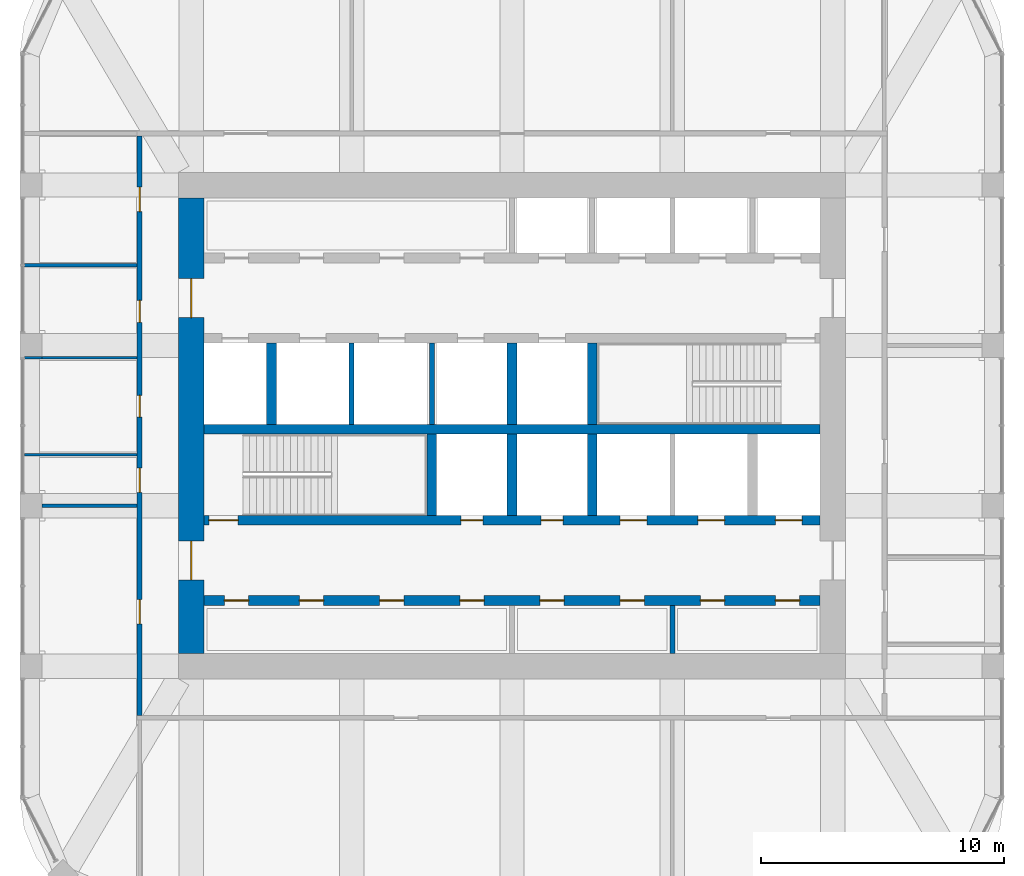
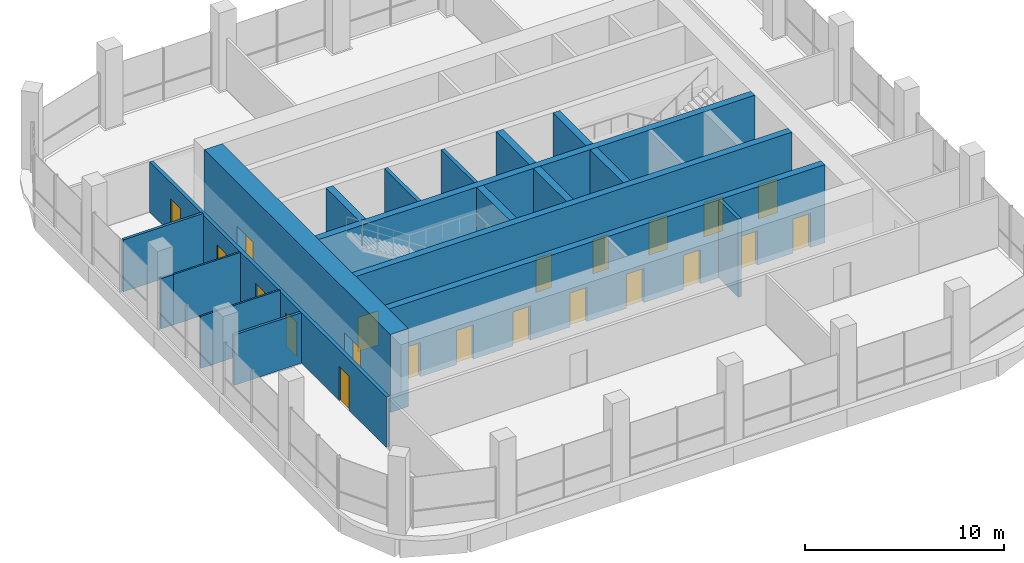
# One storey, part 9 of 13: 21 doors, 19 walls, 21 openings.
"""IFC4 building model written with IfcOpenShell, lengths in metres."""

from ifc_helpers import new_model, si_unit, direction, frame, frame_2d, origin, place, context, subcontext, project, spatial, rectangle, extrude, material, layer, layer_set, type_object, element, fill, save


model = new_model("IFC4")

# Units and contexts
model_context = context("Model", 3, precision=1e-05, world=origin(), true_north=direction((0.0, 1.0)))
body_context = subcontext(model_context, "Body", "Model", "MODEL_VIEW")
ifc_project = project(units=[si_unit("LENGTHUNIT", "METRE"), si_unit("AREAUNIT", "SQUARE_METRE"), si_unit("VOLUMEUNIT", "CUBIC_METRE"), si_unit("PLANEANGLEUNIT", "RADIAN"), si_unit("MASSUNIT", "GRAM", prefix="KILO")], contexts=[model_context])

# Site, building, storey
site_placement = place(None, origin())
site = spatial("IfcSite", under=ifc_project, at=site_placement, CompositionType="ELEMENT")
building_placement = place(site_placement, origin())
building = spatial("IfcBuilding", under=site, at=building_placement, Name="Cobogo Forest Laboratory Tower", CompositionType="ELEMENT")
storey_placement = place(building_placement, frame((0.0, 0.0, 288.0)))
storey = spatial("IfcBuildingStorey", under=building, at=storey_placement, Name="L66", CompositionType="ELEMENT", Elevation=288.0)

# Wall, openings, doors
ifc_material_1 = material(Name="Concrete HA-50 (C50/60)", Category="concrete")
ifc_layer_1 = layer(ifc_material_1, 0.39990234375)
ifc_layer_set_1 = layer_set([ifc_layer_1], Name="CI400 core inner wall 400")
wall_type_1 = type_object("IfcWallType", Name="CI400 core inner wall 400", PredefinedType="SHEAR", material=ifc_layer_set_1)
wall_1_placement = place(storey_placement, frame((13.72509765625, 15.89990234375, 0.0), z_axis=(0.0, 0.0, 1.0), x_axis=(1.0, 0.0, 0.0)))
wall_1 = element("IfcWall", 1, at=wall_1_placement, inside=storey, type_object=wall_type_1, Name="Core wall CI-15.9 L66", PredefinedType="SHEAR", context=body_context, shape_type="SweptSolid", body=[
    extrude(rectangle(XDim=25.349853515625, YDim=0.39990234375, at=frame_2d((12.6748046875, 0.0))), origin(), (0.0, 0.0, 1.0), 4.800048828125),
])
opening_1_placement = place(wall_1_placement, frame((0.83740234375, 0.0, 0.0)))
opening_1 = element("IfcOpeningElement", 2, at=opening_1_placement, cuts=wall_1, Name="Opening L66-D06", PredefinedType="OPENING", context=body_context, shape_type="SweptSolid", body=[
    extrude(rectangle(XDim=1.0, YDim=2.10009765625, at=frame_2d((0.5, 1.050048828125))), frame((0.0, 0.2099609375, 0.0), z_axis=(0.0, -1.0, 0.0), x_axis=(1.0, 0.0, 0.0)), (0.0, 0.0, 1.0), 0.419921875),
])
opening_2_placement = place(wall_1_placement, frame((3.925048828125, 0.0, 0.0)))
opening_2 = element("IfcOpeningElement", 3, at=opening_2_placement, cuts=wall_1, Name="Opening L66-D07", PredefinedType="OPENING", context=body_context, shape_type="SweptSolid", body=[
    extrude(rectangle(XDim=1.0, YDim=2.10009765625, at=frame_2d((0.5, 1.050048828125))), frame((0.0, 0.2099609375, 0.0), z_axis=(0.0, -1.0, 0.0), x_axis=(1.0, 0.0, 0.0)), (0.0, 0.0, 1.0), 0.419921875),
])
opening_3_placement = place(wall_1_placement, frame((7.22509765625, 0.0, 0.0)))
opening_3 = element("IfcOpeningElement", 4, at=opening_3_placement, cuts=wall_1, Name="Opening L66-D08", PredefinedType="OPENING", context=body_context, shape_type="SweptSolid", body=[
    extrude(rectangle(XDim=1.0, YDim=2.10009765625, at=frame_2d((0.5, 1.050048828125))), frame((0.0, 0.2099609375, 0.0), z_axis=(0.0, -1.0, 0.0), x_axis=(1.0, 0.0, 0.0)), (0.0, 0.0, 1.0), 0.419921875),
])
opening_4_placement = place(wall_1_placement, frame((10.52490234375, 0.0, 0.0)))
opening_4 = element("IfcOpeningElement", 5, at=opening_4_placement, cuts=wall_1, Name="Opening L66-D09", PredefinedType="OPENING", context=body_context, shape_type="SweptSolid", body=[
    extrude(rectangle(XDim=1.0, YDim=2.10009765625, at=frame_2d((0.5, 1.050048828125))), frame((0.0, 0.2099609375, 0.0), z_axis=(0.0, -1.0, 0.0), x_axis=(1.0, 0.0, 0.0)), (0.0, 0.0, 1.0), 0.419921875),
])
opening_5_placement = place(wall_1_placement, frame((13.824951171875, 0.0, 0.0)))
opening_5 = element("IfcOpeningElement", 6, at=opening_5_placement, cuts=wall_1, Name="Opening L66-D10", PredefinedType="OPENING", context=body_context, shape_type="SweptSolid", body=[
    extrude(rectangle(XDim=1.0, YDim=2.10009765625, at=frame_2d((0.5, 1.050048828125))), frame((0.0, 0.2099609375, 0.0), z_axis=(0.0, -1.0, 0.0), x_axis=(1.0, 0.0, 0.0)), (0.0, 0.0, 1.0), 0.419921875),
])
opening_6_placement = place(wall_1_placement, frame((17.125, 0.0, 0.0)))
opening_6 = element("IfcOpeningElement", 7, at=opening_6_placement, cuts=wall_1, Name="Opening L66-D11", PredefinedType="OPENING", context=body_context, shape_type="SweptSolid", body=[
    extrude(rectangle(XDim=1.0, YDim=2.10009765625, at=frame_2d((0.5, 1.050048828125))), frame((0.0, 0.2099609375, 0.0), z_axis=(0.0, -1.0, 0.0), x_axis=(1.0, 0.0, 0.0)), (0.0, 0.0, 1.0), 0.419921875),
])
opening_7_placement = place(wall_1_placement, frame((20.425048828125, 0.0, 0.0)))
opening_7 = element("IfcOpeningElement", 8, at=opening_7_placement, cuts=wall_1, Name="Opening L66-D12", PredefinedType="OPENING", context=body_context, shape_type="SweptSolid", body=[
    extrude(rectangle(XDim=1.0, YDim=2.10009765625, at=frame_2d((0.5, 1.050048828125))), frame((0.0, 0.2099609375, 0.0), z_axis=(0.0, -1.0, 0.0), x_axis=(1.0, 0.0, 0.0)), (0.0, 0.0, 1.0), 0.419921875),
])
opening_8_placement = place(wall_1_placement, frame((23.512451171875, 0.0, 0.0)))
opening_8 = element("IfcOpeningElement", 9, at=opening_8_placement, cuts=wall_1, Name="Opening L66-D13", PredefinedType="OPENING", context=body_context, shape_type="SweptSolid", body=[
    extrude(rectangle(XDim=1.0, YDim=2.10009765625, at=frame_2d((0.5, 1.050048828125))), frame((0.0, 0.2099609375, 0.0), z_axis=(0.0, -1.0, 0.0), x_axis=(1.0, 0.0, 0.0)), (0.0, 0.0, 1.0), 0.419921875),
])
ifc_material_2 = material(Name="Steel fire door", Category="steel")
door_type_1 = type_object("IfcDoorType", Name="FD1 fire door 1000 EI2 60", OperationType="SINGLE_SWING_LEFT", PredefinedType="DOOR", material=ifc_material_2)
door_1_placement = place(opening_1_placement, origin())
door_1 = element("IfcDoor", 10, at=door_1_placement, inside=storey, type_object=door_type_1, Name="Door L66-SH-LA1", OperationType="SINGLE_SWING_LEFT", OverallHeight=2.10009765625, OverallWidth=1.0, PredefinedType="DOOR", context=body_context, shape_type="SweptSolid", body=[
    extrude(rectangle(XDim=1.0, YDim=2.10009765625, at=frame_2d((0.5, 1.050048828125))), frame((0.0, 0.02490234375, 0.0), z_axis=(0.0, -1.0, 0.0), x_axis=(1.0, 0.0, 0.0)), (0.0, 0.0, 1.0), 0.050048828125),
])
fill(opening_1, door_1)
door_2_placement = place(opening_2_placement, origin())
door_2 = element("IfcDoor", 11, at=door_2_placement, inside=storey, type_object=door_type_1, Name="Door L66-SH-LA2", OperationType="SINGLE_SWING_LEFT", OverallHeight=2.10009765625, OverallWidth=1.0, PredefinedType="DOOR", context=body_context, shape_type="SweptSolid", body=[
    extrude(rectangle(XDim=1.0, YDim=2.10009765625, at=frame_2d((0.5, 1.050048828125))), frame((0.0, 0.02490234375, 0.0), z_axis=(0.0, -1.0, 0.0), x_axis=(1.0, 0.0, 0.0)), (0.0, 0.0, 1.0), 0.050048828125),
])
fill(opening_2, door_2)
door_3_placement = place(opening_3_placement, origin())
door_3 = element("IfcDoor", 12, at=door_3_placement, inside=storey, type_object=door_type_1, Name="Door L66-SH-LA3", OperationType="SINGLE_SWING_LEFT", OverallHeight=2.10009765625, OverallWidth=1.0, PredefinedType="DOOR", context=body_context, shape_type="SweptSolid", body=[
    extrude(rectangle(XDim=1.0, YDim=2.10009765625, at=frame_2d((0.5, 1.050048828125))), frame((0.0, 0.02490234375, 0.0), z_axis=(0.0, -1.0, 0.0), x_axis=(1.0, 0.0, 0.0)), (0.0, 0.0, 1.0), 0.050048828125),
])
fill(opening_3, door_3)
door_4_placement = place(opening_4_placement, origin())
door_4 = element("IfcDoor", 13, at=door_4_placement, inside=storey, type_object=door_type_1, Name="Door L66-SH-LA4", OperationType="SINGLE_SWING_LEFT", OverallHeight=2.10009765625, OverallWidth=1.0, PredefinedType="DOOR", context=body_context, shape_type="SweptSolid", body=[
    extrude(rectangle(XDim=1.0, YDim=2.10009765625, at=frame_2d((0.5, 1.050048828125))), frame((0.0, 0.02490234375, 0.0), z_axis=(0.0, -1.0, 0.0), x_axis=(1.0, 0.0, 0.0)), (0.0, 0.0, 1.0), 0.050048828125),
])
fill(opening_4, door_4)
door_5_placement = place(opening_5_placement, origin())
door_5 = element("IfcDoor", 14, at=door_5_placement, inside=storey, type_object=door_type_1, Name="Door L66-SH-LB1", OperationType="SINGLE_SWING_RIGHT", OverallHeight=2.10009765625, OverallWidth=1.0, PredefinedType="DOOR", context=body_context, shape_type="SweptSolid", body=[
    extrude(rectangle(XDim=1.0, YDim=2.10009765625, at=frame_2d((0.5, 1.050048828125))), frame((0.0, 0.02490234375, 0.0), z_axis=(0.0, -1.0, 0.0), x_axis=(1.0, 0.0, 0.0)), (0.0, 0.0, 1.0), 0.050048828125),
])
fill(opening_5, door_5)
door_6_placement = place(opening_6_placement, origin())
door_6 = element("IfcDoor", 15, at=door_6_placement, inside=storey, type_object=door_type_1, Name="Door L66-SH-LB2", OperationType="SINGLE_SWING_RIGHT", OverallHeight=2.10009765625, OverallWidth=1.0, PredefinedType="DOOR", context=body_context, shape_type="SweptSolid", body=[
    extrude(rectangle(XDim=1.0, YDim=2.10009765625, at=frame_2d((0.5, 1.050048828125))), frame((0.0, 0.02490234375, 0.0), z_axis=(0.0, -1.0, 0.0), x_axis=(1.0, 0.0, 0.0)), (0.0, 0.0, 1.0), 0.050048828125),
])
fill(opening_6, door_6)
door_7_placement = place(opening_7_placement, origin())
door_7 = element("IfcDoor", 16, at=door_7_placement, inside=storey, type_object=door_type_1, Name="Door L66-SH-LB3", OperationType="SINGLE_SWING_RIGHT", OverallHeight=2.10009765625, OverallWidth=1.0, PredefinedType="DOOR", context=body_context, shape_type="SweptSolid", body=[
    extrude(rectangle(XDim=1.0, YDim=2.10009765625, at=frame_2d((0.5, 1.050048828125))), frame((0.0, 0.02490234375, 0.0), z_axis=(0.0, -1.0, 0.0), x_axis=(1.0, 0.0, 0.0)), (0.0, 0.0, 1.0), 0.050048828125),
])
fill(opening_7, door_7)
door_8_placement = place(opening_8_placement, origin())
door_8 = element("IfcDoor", 17, at=door_8_placement, inside=storey, type_object=door_type_1, Name="Door L66-SH-LB4", OperationType="SINGLE_SWING_RIGHT", OverallHeight=2.10009765625, OverallWidth=1.0, PredefinedType="DOOR", context=body_context, shape_type="SweptSolid", body=[
    extrude(rectangle(XDim=1.0, YDim=2.10009765625, at=frame_2d((0.5, 1.050048828125))), frame((0.0, 0.02490234375, 0.0), z_axis=(0.0, -1.0, 0.0), x_axis=(1.0, 0.0, 0.0)), (0.0, 0.0, 1.0), 0.050048828125),
])
fill(opening_8, door_8)

wall_2_placement = place(storey_placement, frame((13.72509765625, 19.199951171875, 0.0), z_axis=(0.0, 0.0, 1.0), x_axis=(1.0, 0.0, 0.0)))
wall_2 = element("IfcWall", 18, at=wall_2_placement, inside=storey, type_object=wall_type_1, Name="Core wall CI-19.2 L66", PredefinedType="SHEAR", context=body_context, shape_type="SweptSolid", body=[
    extrude(rectangle(XDim=25.349853515625, YDim=0.39990234375, at=frame_2d((12.6748046875, 0.0))), origin(), (0.0, 0.0, 1.0), 4.800048828125),
])
opening_9_placement = place(wall_2_placement, frame((10.574951171875, 0.0, 0.0)))
opening_9 = element("IfcOpeningElement", 19, at=opening_9_placement, cuts=wall_2, Name="Opening L66-D17", PredefinedType="OPENING", context=body_context, shape_type="SweptSolid", body=[
    extrude(rectangle(XDim=0.89990234375, YDim=2.10009765625, at=frame_2d((0.449951171875, 1.050048828125))), frame((0.0, 0.2099609375, 0.0), z_axis=(0.0, -1.0, 0.0), x_axis=(1.0, 0.0, 0.0)), (0.0, 0.0, 1.0), 0.419921875),
])
opening_10_placement = place(wall_2_placement, frame((13.875, 0.0, 0.0)))
opening_10 = element("IfcOpeningElement", 20, at=opening_10_placement, cuts=wall_2, Name="Opening L66-D18", PredefinedType="OPENING", context=body_context, shape_type="SweptSolid", body=[
    extrude(rectangle(XDim=0.89990234375, YDim=2.10009765625, at=frame_2d((0.449951171875, 1.050048828125))), frame((0.0, 0.2099609375, 0.0), z_axis=(0.0, -1.0, 0.0), x_axis=(1.0, 0.0, 0.0)), (0.0, 0.0, 1.0), 0.419921875),
])
opening_11_placement = place(wall_2_placement, frame((0.199951171875, 0.0, 0.0)))
opening_11 = element("IfcOpeningElement", 21, at=opening_11_placement, cuts=wall_2, Name="Opening L66-D16", PredefinedType="OPENING", context=body_context, shape_type="SweptSolid", body=[
    extrude(rectangle(XDim=1.199951171875, YDim=2.10009765625, at=frame_2d((0.60009765625, 1.050048828125))), frame((0.0, 0.2099609375, 0.0), z_axis=(0.0, -1.0, 0.0), x_axis=(1.0, 0.0, 0.0)), (0.0, 0.0, 1.0), 0.419921875),
])
opening_12_placement = place(wall_2_placement, frame((23.512451171875, 0.0, 0.0)))
opening_12 = element("IfcOpeningElement", 22, at=opening_12_placement, cuts=wall_2, Name="Opening L66-LD-FL2", PredefinedType="OPENING", context=body_context, shape_type="SweptSolid", body=[
    extrude(rectangle(XDim=1.10009765625, YDim=2.10009765625, at=frame_2d((0.550048828125, 1.050048828125))), frame((0.0, 0.2099609375, 0.0), z_axis=(0.0, -1.0, 0.0), x_axis=(1.0, 0.0, 0.0)), (0.0, 0.0, 1.0), 0.419921875),
])
opening_13_placement = place(wall_2_placement, frame((17.125, 0.0, 0.0)))
opening_13 = element("IfcOpeningElement", 23, at=opening_13_placement, cuts=wall_2, Name="Opening L66-LD-LS1", PredefinedType="OPENING", context=body_context, shape_type="SweptSolid", body=[
    extrude(rectangle(XDim=1.10009765625, YDim=2.10009765625, at=frame_2d((0.550048828125, 1.050048828125))), frame((0.0, 0.2099609375, 0.0), z_axis=(0.0, -1.0, 0.0), x_axis=(1.0, 0.0, 0.0)), (0.0, 0.0, 1.0), 0.419921875),
])
opening_14_placement = place(wall_2_placement, frame((20.324951171875, 0.0, 0.0)))
opening_14 = element("IfcOpeningElement", 24, at=opening_14_placement, cuts=wall_2, Name="Opening L66-LD-LS2", PredefinedType="OPENING", context=body_context, shape_type="SweptSolid", body=[
    extrude(rectangle(XDim=1.10009765625, YDim=2.10009765625, at=frame_2d((0.550048828125, 1.050048828125))), frame((0.0, 0.2099609375, 0.0), z_axis=(0.0, -1.0, 0.0), x_axis=(1.0, 0.0, 0.0)), (0.0, 0.0, 1.0), 0.419921875),
])
door_type_2 = type_object("IfcDoorType", Name="DS1 protected stair door 1200 EI2 60", OperationType="SINGLE_SWING_LEFT", PredefinedType="DOOR", material=ifc_material_2)
door_9_placement = place(opening_11_placement, origin())
door_9 = element("IfcDoor", 25, at=door_9_placement, inside=storey, type_object=door_type_2, Name="Door L66-ST1", OperationType="SINGLE_SWING_LEFT", OverallHeight=2.10009765625, OverallWidth=1.199951171875, PredefinedType="DOOR", context=body_context, shape_type="SweptSolid", body=[
    extrude(rectangle(XDim=1.199951171875, YDim=2.10009765625, at=frame_2d((0.60009765625, 1.050048828125))), frame((0.0, 0.02490234375, 0.0), z_axis=(0.0, -1.0, 0.0), x_axis=(1.0, 0.0, 0.0)), (0.0, 0.0, 1.0), 0.050048828125),
])
fill(opening_11, door_9)
door_type_3 = type_object("IfcDoorType", Name="FD4 riser access door 900 EI2 60", OperationType="SINGLE_SWING_LEFT", PredefinedType="DOOR", material=ifc_material_2)
door_10_placement = place(opening_9_placement, origin())
door_10 = element("IfcDoor", 26, at=door_10_placement, inside=storey, type_object=door_type_3, Name="Door L66-R1", OperationType="SINGLE_SWING_LEFT", OverallHeight=2.10009765625, OverallWidth=0.89990234375, PredefinedType="DOOR", context=body_context, shape_type="SweptSolid", body=[
    extrude(rectangle(XDim=0.89990234375, YDim=2.10009765625, at=frame_2d((0.449951171875, 1.050048828125))), frame((0.0, 0.02490234375, 0.0), z_axis=(0.0, -1.0, 0.0), x_axis=(1.0, 0.0, 0.0)), (0.0, 0.0, 1.0), 0.050048828125),
])
fill(opening_9, door_10)
door_11_placement = place(opening_10_placement, origin())
door_11 = element("IfcDoor", 27, at=door_11_placement, inside=storey, type_object=door_type_3, Name="Door L66-R2", OperationType="SINGLE_SWING_RIGHT", OverallHeight=2.10009765625, OverallWidth=0.89990234375, PredefinedType="DOOR", context=body_context, shape_type="SweptSolid", body=[
    extrude(rectangle(XDim=0.89990234375, YDim=2.10009765625, at=frame_2d((0.449951171875, 1.050048828125))), frame((0.0, 0.02490234375, 0.0), z_axis=(0.0, -1.0, 0.0), x_axis=(1.0, 0.0, 0.0)), (0.0, 0.0, 1.0), 0.050048828125),
])
fill(opening_10, door_11)
ifc_material_3 = material(Name="Stainless steel lift door", Category="steel")
door_type_4 = type_object("IfcDoorType", Name="LD lift landing door 1100", OperationType="DOUBLE_DOOR_SLIDING", PredefinedType="DOOR", material=ifc_material_3)
door_12_placement = place(opening_12_placement, origin())
door_12 = element("IfcDoor", 28, at=door_12_placement, inside=storey, type_object=door_type_4, Name="Lift landing door FL2 L66", OperationType="DOUBLE_DOOR_SLIDING", OverallHeight=2.10009765625, OverallWidth=1.10009765625, PredefinedType="DOOR", context=body_context, shape_type="SweptSolid", body=[
    extrude(rectangle(XDim=1.10009765625, YDim=2.10009765625, at=frame_2d((0.550048828125, 1.050048828125))), frame((0.0, 0.02490234375, 0.0), z_axis=(0.0, -1.0, 0.0), x_axis=(1.0, 0.0, 0.0)), (0.0, 0.0, 1.0), 0.050048828125),
])
fill(opening_12, door_12)
door_13_placement = place(opening_13_placement, origin())
door_13 = element("IfcDoor", 29, at=door_13_placement, inside=storey, type_object=door_type_4, Name="Lift landing door LS1 L66", OperationType="DOUBLE_DOOR_SLIDING", OverallHeight=2.10009765625, OverallWidth=1.10009765625, PredefinedType="DOOR", context=body_context, shape_type="SweptSolid", body=[
    extrude(rectangle(XDim=1.10009765625, YDim=2.10009765625, at=frame_2d((0.550048828125, 1.050048828125))), frame((0.0, 0.02490234375, 0.0), z_axis=(0.0, -1.0, 0.0), x_axis=(1.0, 0.0, 0.0)), (0.0, 0.0, 1.0), 0.050048828125),
])
fill(opening_13, door_13)
door_14_placement = place(opening_14_placement, origin())
door_14 = element("IfcDoor", 30, at=door_14_placement, inside=storey, type_object=door_type_4, Name="Lift landing door LS2 L66", OperationType="DOUBLE_DOOR_SLIDING", OverallHeight=2.10009765625, OverallWidth=1.10009765625, PredefinedType="DOOR", context=body_context, shape_type="SweptSolid", body=[
    extrude(rectangle(XDim=1.10009765625, YDim=2.10009765625, at=frame_2d((0.550048828125, 1.050048828125))), frame((0.0, 0.02490234375, 0.0), z_axis=(0.0, -1.0, 0.0), x_axis=(1.0, 0.0, 0.0)), (0.0, 0.0, 1.0), 0.050048828125),
])
fill(opening_14, door_14)

# Walls
wall_3_placement = place(storey_placement, frame((13.72509765625, 22.949951171875, 0.0), z_axis=(0.0, 0.0, 1.0), x_axis=(1.0, 0.0, 0.0)))
element("IfcWall", 31, at=wall_3_placement, inside=storey, type_object=wall_type_1, Name="Core wall CI-22.95 L66", PredefinedType="SHEAR", context=body_context, shape_type="SweptSolid", body=[
    extrude(rectangle(XDim=25.349853515625, YDim=0.39990234375, at=frame_2d((12.6748046875, 0.0))), origin(), (0.0, 0.0, 1.0), 4.800048828125),
])
for number, where, z_axis, x_axis, name in (
    (32, (23.10009765625, 19.39990234375, 0.0), (0.0, 0.0, 1.0), (0.0, 1.0, 0.0), "Core wall CX-23.1 L66"),
    (33, (26.39990234375, 19.39990234375, 0.0), (0.0, 0.0, 1.0), (0.0, 1.0, 0.0), "Core wall CX-26.4S L66"),
    (34, (29.699951171875, 19.39990234375, 0.0), (0.0, 0.0, 1.0), (0.0, 1.0, 0.0), "Core wall CX-29.7S L66"),
    (35, (16.5, 23.14990234375, 0.0), (0.0, 0.0, 1.0), (0.0, 1.0, 0.0), "Core wall CX-16.5 L66"),
    (36, (26.39990234375, 23.14990234375, 0.0), (0.0, 0.0, 1.0), (0.0, 1.0, 0.0), "Core wall CX-26.4N L66"),
    (37, (29.699951171875, 23.14990234375, 0.0), (0.0, 0.0, 1.0), (0.0, 1.0, 0.0), "Core wall CX-29.7N L66"),
):
    element("IfcWall", number, at=place(storey_placement, frame(where, z_axis=z_axis, x_axis=x_axis)), inside=storey, type_object=wall_type_1, Name=name, PredefinedType="SHEAR", context=body_context, shape_type="SweptSolid", body=[
        extrude(rectangle(XDim=3.35009765625, YDim=0.39990234375, at=frame_2d((1.675048828125, 0.0))), origin(), (0.0, 0.0, 1.0), 4.800048828125),
    ])

# Wall, openings, doors
ifc_layer_2 = layer(ifc_material_1, 1.050048828125)
ifc_layer_set_2 = layer_set([ifc_layer_2], Name="CW1050 core outer wall 1050")
wall_type_2 = type_object("IfcWallType", Name="CW1050 core outer wall 1050", PredefinedType="SHEAR", material=ifc_layer_set_2)
wall_4_placement = place(storey_placement, frame((13.199951171875, 32.47509765625, 0.0), z_axis=(0.0, 0.0, 1.0), x_axis=(0.0, -1.0, 0.0)))
wall_4 = element("IfcWall", 38, at=wall_4_placement, inside=storey, type_object=wall_type_2, Name="Core wall CO-W L66", PredefinedType="SHEAR", context=body_context, shape_type="SweptSolid", body=[
    extrude(rectangle(XDim=18.75, YDim=1.050048828125, at=frame_2d((9.375, 0.0))), origin(), (0.0, 0.0, 1.0), 4.800048828125),
])
opening_15_placement = place(wall_4_placement, frame((14.125, 0.0, 0.0)))
opening_15 = element("IfcOpeningElement", 39, at=opening_15_placement, cuts=wall_4, Name="Opening L66-D14", PredefinedType="OPENING", context=body_context, shape_type="SweptSolid", body=[
    extrude(rectangle(XDim=1.60009765625, YDim=2.10009765625, at=frame_2d((0.800048828125, 1.050048828125))), frame((0.0, 0.534912109375, 0.0), z_axis=(0.0, -1.0, 0.0), x_axis=(1.0, 0.0, 0.0)), (0.0, 0.0, 1.0), 1.070068359375),
])
opening_16_placement = place(wall_4_placement, frame((3.324951171875, 0.0, 0.0)))
opening_16 = element("IfcOpeningElement", 40, at=opening_16_placement, cuts=wall_4, Name="Opening L66-D24", PredefinedType="OPENING", context=body_context, shape_type="SweptSolid", body=[
    extrude(rectangle(XDim=1.60009765625, YDim=2.10009765625, at=frame_2d((0.800048828125, 1.050048828125))), frame((0.0, 0.534912109375, 0.0), z_axis=(0.0, -1.0, 0.0), x_axis=(1.0, 0.0, 0.0)), (0.0, 0.0, 1.0), 1.070068359375),
])
door_type_5 = type_object("IfcDoorType", Name="DS2 protected lobby door pair 1600 EI2 60", OperationType="DOUBLE_DOOR_DOUBLE_SWING", PredefinedType="DOOR", material=ifc_material_2)
door_15_placement = place(opening_15_placement, origin())
door_15 = element("IfcDoor", 41, at=door_15_placement, inside=storey, type_object=door_type_5, Name="Door L66-CO-W-S", OperationType="DOUBLE_DOOR_DOUBLE_SWING", OverallHeight=2.10009765625, OverallWidth=1.60009765625, PredefinedType="DOOR", context=body_context, shape_type="SweptSolid", body=[
    extrude(rectangle(XDim=1.60009765625, YDim=2.10009765625, at=frame_2d((0.800048828125, 1.050048828125))), frame((0.0, 0.02490234375, 0.0), z_axis=(0.0, -1.0, 0.0), x_axis=(1.0, 0.0, 0.0)), (0.0, 0.0, 1.0), 0.050048828125),
])
fill(opening_15, door_15)
door_16_placement = place(opening_16_placement, origin())
door_16 = element("IfcDoor", 42, at=door_16_placement, inside=storey, type_object=door_type_5, Name="Door L66-CO-W-N", OperationType="DOUBLE_DOOR_DOUBLE_SWING", OverallHeight=2.10009765625, OverallWidth=1.60009765625, PredefinedType="DOOR", context=body_context, shape_type="SweptSolid", body=[
    extrude(rectangle(XDim=1.60009765625, YDim=2.10009765625, at=frame_2d((0.800048828125, 1.050048828125))), frame((0.0, 0.02490234375, 0.0), z_axis=(0.0, -1.0, 0.0), x_axis=(1.0, 0.0, 0.0)), (0.0, 0.0, 1.0), 0.050048828125),
])
fill(opening_16, door_16)

# Walls
ifc_material_4 = material(Name="Gypsum board on steel studs", Category="steel")
ifc_layer_3 = layer(ifc_material_4, 0.14990234375)
ifc_layer_set_3 = layer_set([ifc_layer_3], Name="PT1 laboratory partition 150")
wall_type_3 = type_object("IfcWallType", Name="PT1 laboratory partition 150", PredefinedType="PARTITIONING", material=ifc_layer_set_3)
wall_5_placement = place(storey_placement, frame((6.330078125, 29.699951171875, 0.0), z_axis=(0.0, 0.0, 1.0), x_axis=(1.0, 0.0, 0.0)))
element("IfcWall", 43, at=wall_5_placement, inside=storey, type_object=wall_type_3, Name="Partition SVC-W3-1 L66", PredefinedType="PARTITIONING", context=body_context, shape_type="SweptSolid", body=[
    extrude(rectangle(XDim=4.64501953125, YDim=0.14990234375, at=frame_2d((2.322509765625, 0.0))), origin(), (0.0, 0.0, 1.0), 3.199951171875),
])
wall_6_placement = place(storey_placement, frame((7.050048828125, 19.800048828125, 0.0), z_axis=(0.0, 0.0, 1.0), x_axis=(1.0, 0.0, 0.0)))
element("IfcWall", 44, at=wall_6_placement, inside=storey, type_object=wall_type_3, Name="Partition CUT-W19.8-1 L66", PredefinedType="PARTITIONING", context=body_context, shape_type="SweptSolid", body=[
    extrude(rectangle(XDim=3.925048828125, YDim=0.14990234375, at=frame_2d((1.96240234375, 0.0))), origin(), (0.0, 0.0, 1.0), 3.10009765625),
])

# Wall, openings, doors
ifc_layer_4 = layer(ifc_material_4, 0.199951171875)
ifc_layer_set_4 = layer_set([ifc_layer_4], Name="PT2 fire-rated corridor partition 200")
wall_type_4 = type_object("IfcWallType", Name="PT2 fire-rated corridor partition 200", PredefinedType="PARTITIONING", material=ifc_layer_set_4)
wall_7_placement = place(storey_placement, frame((11.074951171875, 11.175048828125, 0.0), z_axis=(0.0, 0.0, 1.0), x_axis=(0.0, 1.0, 0.0)))
wall_7 = element("IfcWall", 45, at=wall_7_placement, inside=storey, type_object=wall_type_4, Name="Partition CORR-W L66", PredefinedType="PARTITIONING", context=body_context, shape_type="SweptSolid", body=[
    extrude(rectangle(XDim=23.849853515625, YDim=0.199951171875, at=frame_2d((11.9248046875, 0.0))), origin(), (0.0, 0.0, 1.0), 3.10009765625),
])
opening_17_placement = place(wall_7_placement, frame((3.762451171875, 0.0, 0.0)))
opening_17 = element("IfcOpeningElement", 46, at=opening_17_placement, cuts=wall_7, Name="Opening L66-D04", PredefinedType="OPENING", context=body_context, shape_type="SweptSolid", body=[
    extrude(rectangle(XDim=1.0, YDim=2.10009765625, at=frame_2d((0.5, 1.050048828125))), frame((0.0, 0.10986328125, 0.0), z_axis=(0.0, -1.0, 0.0), x_axis=(1.0, 0.0, 0.0)), (0.0, 0.0, 1.0), 0.219970703125),
])
opening_18_placement = place(wall_7_placement, frame((9.175048828125, 0.0, 0.0)))
opening_18 = element("IfcOpeningElement", 47, at=opening_18_placement, cuts=wall_7, Name="Opening L66-D19", PredefinedType="OPENING", context=body_context, shape_type="SweptSolid", body=[
    extrude(rectangle(XDim=1.0, YDim=2.10009765625, at=frame_2d((0.5, 1.050048828125))), frame((0.0, 0.10986328125, 0.0), z_axis=(0.0, -1.0, 0.0), x_axis=(1.0, 0.0, 0.0)), (0.0, 0.0, 1.0), 0.219970703125),
])
opening_19_placement = place(wall_7_placement, frame((12.27490234375, 0.0, 0.0)))
opening_19 = element("IfcOpeningElement", 48, at=opening_19_placement, cuts=wall_7, Name="Opening L66-D21", PredefinedType="OPENING", context=body_context, shape_type="SweptSolid", body=[
    extrude(rectangle(XDim=0.89990234375, YDim=2.10009765625, at=frame_2d((0.449951171875, 1.050048828125))), frame((0.0, 0.10986328125, 0.0), z_axis=(0.0, -1.0, 0.0), x_axis=(1.0, 0.0, 0.0)), (0.0, 0.0, 1.0), 0.219970703125),
])
opening_20_placement = place(wall_7_placement, frame((16.175048828125, 0.0, 0.0)))
opening_20 = element("IfcOpeningElement", 49, at=opening_20_placement, cuts=wall_7, Name="Opening L66-D23", PredefinedType="OPENING", context=body_context, shape_type="SweptSolid", body=[
    extrude(rectangle(XDim=0.89990234375, YDim=2.10009765625, at=frame_2d((0.449951171875, 1.050048828125))), frame((0.0, 0.10986328125, 0.0), z_axis=(0.0, -1.0, 0.0), x_axis=(1.0, 0.0, 0.0)), (0.0, 0.0, 1.0), 0.219970703125),
])
opening_21_placement = place(wall_7_placement, frame((20.737548828125, 0.0, 0.0)))
opening_21 = element("IfcOpeningElement", 50, at=opening_21_placement, cuts=wall_7, Name="Opening L66-D31", PredefinedType="OPENING", context=body_context, shape_type="SweptSolid", body=[
    extrude(rectangle(XDim=1.0, YDim=2.10009765625, at=frame_2d((0.5, 1.050048828125))), frame((0.0, 0.10986328125, 0.0), z_axis=(0.0, -1.0, 0.0), x_axis=(1.0, 0.0, 0.0)), (0.0, 0.0, 1.0), 0.219970703125),
])
ifc_material_5 = material(Name="Timber fire door", Category="wood")
door_type_6 = type_object("IfcDoorType", Name="FD2 fire door 1000 EI2 30", OperationType="SINGLE_SWING_LEFT", PredefinedType="DOOR", material=ifc_material_5)
door_17_placement = place(opening_17_placement, origin())
door_17 = element("IfcDoor", 51, at=door_17_placement, inside=storey, type_object=door_type_6, Name="Door L66-W1", OperationType="SINGLE_SWING_LEFT", OverallHeight=2.10009765625, OverallWidth=1.0, PredefinedType="DOOR", context=body_context, shape_type="SweptSolid", body=[
    extrude(rectangle(XDim=1.0, YDim=2.10009765625, at=frame_2d((0.5, 1.050048828125))), frame((0.0, 0.02490234375, 0.0), z_axis=(0.0, -1.0, 0.0), x_axis=(1.0, 0.0, 0.0)), (0.0, 0.0, 1.0), 0.050048828125),
])
fill(opening_17, door_17)
door_18_placement = place(opening_21_placement, origin())
door_18 = element("IfcDoor", 52, at=door_18_placement, inside=storey, type_object=door_type_6, Name="Door L66-W2", OperationType="SINGLE_SWING_RIGHT", OverallHeight=2.10009765625, OverallWidth=1.0, PredefinedType="DOOR", context=body_context, shape_type="SweptSolid", body=[
    extrude(rectangle(XDim=1.0, YDim=2.10009765625, at=frame_2d((0.5, 1.050048828125))), frame((0.0, 0.02490234375, 0.0), z_axis=(0.0, -1.0, 0.0), x_axis=(1.0, 0.0, 0.0)), (0.0, 0.0, 1.0), 0.050048828125),
])
fill(opening_21, door_18)
door_type_7 = type_object("IfcDoorType", Name="FD3 toilet fire door 900 EI2 30", OperationType="SINGLE_SWING_LEFT", PredefinedType="DOOR", material=ifc_material_5)
door_19_placement = place(opening_19_placement, origin())
door_19 = element("IfcDoor", 53, at=door_19_placement, inside=storey, type_object=door_type_7, Name="Door L66-WCF", OperationType="SINGLE_SWING_RIGHT", OverallHeight=2.10009765625, OverallWidth=0.89990234375, PredefinedType="DOOR", context=body_context, shape_type="SweptSolid", body=[
    extrude(rectangle(XDim=0.89990234375, YDim=2.10009765625, at=frame_2d((0.449951171875, 1.050048828125))), frame((0.0, 0.02490234375, 0.0), z_axis=(0.0, -1.0, 0.0), x_axis=(1.0, 0.0, 0.0)), (0.0, 0.0, 1.0), 0.050048828125),
])
fill(opening_19, door_19)
door_20_placement = place(opening_20_placement, origin())
door_20 = element("IfcDoor", 54, at=door_20_placement, inside=storey, type_object=door_type_7, Name="Door L66-WCM", OperationType="SINGLE_SWING_RIGHT", OverallHeight=2.10009765625, OverallWidth=0.89990234375, PredefinedType="DOOR", context=body_context, shape_type="SweptSolid", body=[
    extrude(rectangle(XDim=0.89990234375, YDim=2.10009765625, at=frame_2d((0.449951171875, 1.050048828125))), frame((0.0, 0.02490234375, 0.0), z_axis=(0.0, -1.0, 0.0), x_axis=(1.0, 0.0, 0.0)), (0.0, 0.0, 1.0), 0.050048828125),
])
fill(opening_20, door_20)
door_type_8 = type_object("IfcDoorType", Name="FDA1 accessible toilet fire door 1000 EI2 30", OperationType="SINGLE_SWING_RIGHT", PredefinedType="DOOR", material=ifc_material_5)
door_21_placement = place(opening_18_placement, origin())
door_21 = element("IfcDoor", 55, at=door_21_placement, inside=storey, type_object=door_type_8, Name="Door L66-WCA", OperationType="SINGLE_SWING_LEFT", OverallHeight=2.10009765625, OverallWidth=1.0, PredefinedType="DOOR", context=body_context, shape_type="SweptSolid", body=[
    extrude(rectangle(XDim=1.0, YDim=2.10009765625, at=frame_2d((0.5, 1.050048828125))), frame((0.0, 0.02490234375, 0.0), z_axis=(0.0, -1.0, 0.0), x_axis=(1.0, 0.0, 0.0)), (0.0, 0.0, 1.0), 0.050048828125),
])
fill(opening_18, door_21)

# Walls
ifc_layer_5 = layer(ifc_material_4, 0.10009765625)
ifc_layer_set_5 = layer_set([ifc_layer_5], Name="PT3 toilet partition 100")
wall_type_5 = type_object("IfcWallType", Name="PT3 toilet partition 100", PredefinedType="PARTITIONING", material=ifc_layer_set_5)
wall_8_placement = place(storey_placement, frame((6.330078125, 21.89990234375, 0.0), z_axis=(0.0, 0.0, 1.0), x_axis=(1.0, 0.0, 0.0)))
element("IfcWall", 56, at=wall_8_placement, inside=storey, type_object=wall_type_5, Name="Partition SVC-W1-1 L66", PredefinedType="PARTITIONING", context=body_context, shape_type="SweptSolid", body=[
    extrude(rectangle(XDim=4.64501953125, YDim=0.10009765625, at=frame_2d((2.322509765625, 0.0))), origin(), (0.0, 0.0, 1.0), 3.199951171875),
])
wall_9_placement = place(storey_placement, frame((6.330078125, 25.89990234375, 0.0), z_axis=(0.0, 0.0, 1.0), x_axis=(1.0, 0.0, 0.0)))
element("IfcWall", 57, at=wall_9_placement, inside=storey, type_object=wall_type_5, Name="Partition SVC-W2-1 L66", PredefinedType="PARTITIONING", context=body_context, shape_type="SweptSolid", body=[
    extrude(rectangle(XDim=0.719970703125, YDim=0.10009765625, at=frame_2d((0.35986328125, 0.0))), origin(), (0.0, 0.0, 1.0), 3.10009765625),
])
wall_10_placement = place(storey_placement, frame((7.050048828125, 25.89990234375, 0.0), z_axis=(0.0, 0.0, 1.0), x_axis=(1.0, 0.0, 0.0)))
element("IfcWall", 58, at=wall_10_placement, inside=storey, type_object=wall_type_5, Name="Partition SVC-W2-2 L66", PredefinedType="PARTITIONING", context=body_context, shape_type="SweptSolid", body=[
    extrude(rectangle(XDim=3.925048828125, YDim=0.10009765625, at=frame_2d((1.96240234375, 0.0))), origin(), (0.0, 0.0, 1.0), 3.10009765625),
])
ifc_material_6 = material(Name="Concrete block", Category="concrete")
ifc_layer_6 = layer(ifc_material_6, 0.199951171875)
ifc_layer_set_6 = layer_set([ifc_layer_6], Name="SW200 lift shaft separator 200")
wall_type_6 = type_object("IfcWallType", Name="SW200 lift shaft separator 200", PredefinedType="PARTITIONING", material=ifc_layer_set_6)
wall_11_placement = place(storey_placement, frame((33.0, 13.72509765625, 0.0), z_axis=(0.0, 0.0, 1.0), x_axis=(0.0, 1.0, 0.0)))
element("IfcWall", 59, at=wall_11_placement, inside=storey, type_object=wall_type_6, Name="Core wall SEP-S6 L66", PredefinedType="PARTITIONING", context=body_context, shape_type="SweptSolid", body=[
    extrude(rectangle(XDim=1.974853515625, YDim=0.199951171875, at=frame_2d((0.9873046875, 0.0))), origin(), (0.0, 0.0, 1.0), 4.800048828125),
])
for number, where, z_axis, x_axis, name in (
    (60, (19.800048828125, 23.14990234375, 0.0), (0.0, 0.0, 1.0), (0.0, 1.0, 0.0), "Core wall SEP-M19.8 L66"),
    (61, (23.10009765625, 23.14990234375, 0.0), (0.0, 0.0, 1.0), (0.0, 1.0, 0.0), "Core wall SEP-M23.1 L66"),
):
    element("IfcWall", number, at=place(storey_placement, frame(where, z_axis=z_axis, x_axis=x_axis)), inside=storey, type_object=wall_type_6, Name=name, PredefinedType="PARTITIONING", context=body_context, shape_type="SweptSolid", body=[
        extrude(rectangle(XDim=3.35009765625, YDim=0.199951171875, at=frame_2d((1.675048828125, 0.0))), origin(), (0.0, 0.0, 1.0), 4.800048828125),
    ])

save(model, "model.ifc")
